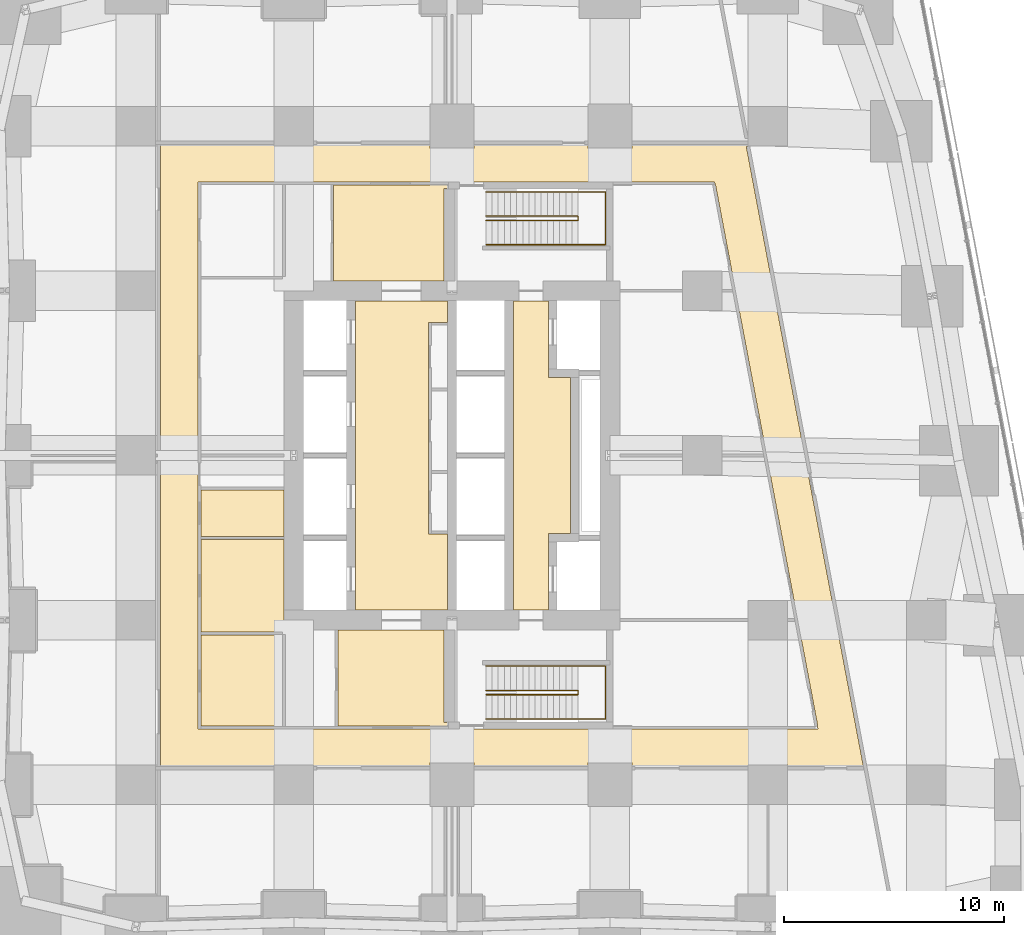
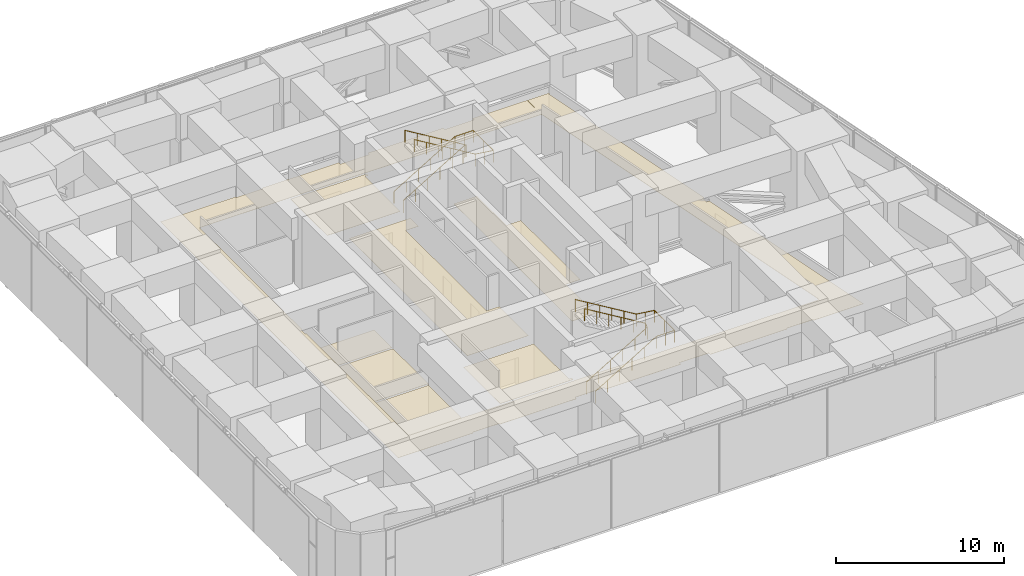
# One storey, part 20 of 20: 8 coverings, 4 railings.
"""IFC4 building model written with IfcOpenShell, lengths in metres."""

from ifc_helpers import new_model, si_unit, direction, frame, origin, origin_2d, place, context, subcontext, project, spatial, polyline, circle, outline, extrude, material, layer, layer_set, type_object, element, save


model = new_model("IFC4")

# Units and contexts
model_context = context("Model", 3, precision=1e-05, world=origin(), true_north=direction((0.0, 1.0)))
body_context = subcontext(model_context, "Body", "Model", "MODEL_VIEW")
ifc_project = project(units=[si_unit("LENGTHUNIT", "METRE"), si_unit("AREAUNIT", "SQUARE_METRE"), si_unit("VOLUMEUNIT", "CUBIC_METRE"), si_unit("PLANEANGLEUNIT", "RADIAN"), si_unit("MASSUNIT", "GRAM", prefix="KILO")], contexts=[model_context])

# Site, building, storey
site_placement = place(None, origin())
site = spatial("IfcSite", under=ifc_project, at=site_placement, CompositionType="ELEMENT")
building_placement = place(site_placement, origin())
building = spatial("IfcBuilding", under=site, at=building_placement, Name="Sheger Commons Tower", CompositionType="ELEMENT")
storey_placement = place(building_placement, frame((0.0, 0.0, 72.5)))
storey = spatial("IfcBuildingStorey", under=building, at=storey_placement, Name="L18", CompositionType="ELEMENT", Elevation=72.5)

# Railings
ifc_material_1 = material(Name="Steel handrail, black powder-coated", Category="steel")
railing_type = type_object("IfcRailingType", Name="HANDRAIL 900", PredefinedType="HANDRAIL", material=ifc_material_1)
railing_1_placement = place(storey_placement, frame((23.14990234375, 11.60009765625, 0.168701171875)))
element("IfcRailing", 1, at=railing_1_placement, inside=storey, type_object=railing_type, Name="Stair S1 handrail L18", PredefinedType="HANDRAIL", context=body_context, shape_type="SweptSolid", body=[
    extrude(circle(Radius=0.02392578125, at=origin_2d()), frame((0.0, 0.0, 0.8759765625), z_axis=(0.856489757249, 0.0, 0.516164020179), x_axis=(0.0, 1.0, 0.0)), (0.0, 0.0, 1.0), 4.904052734375),
    extrude(circle(Radius=0.02392578125, at=origin_2d()), frame((4.2001953125, 0.0, 3.4072265625), z_axis=(0.0, 0.764305856904, 0.644853903688), x_axis=(-1.0, 0.0, 0.0)), (0.0, 0.0, 1.0), 0.26171875),
    extrude(circle(Radius=0.02392578125, at=origin_2d()), frame((4.2001953125, 0.199951171875, 3.57568359375), z_axis=(-0.856489757249, 0.0, 0.516164020179), x_axis=(0.0, -1.0, 0.0)), (0.0, 0.0, 1.0), 4.904052734375),
    extrude(circle(Radius=0.02099609375, at=origin_2d()), origin(), (0.0, 0.0, 1.0), 0.851806640625),
    extrude(circle(Radius=0.02099609375, at=origin_2d()), frame((0.840087890625, 0.0, 0.50634765625)), (0.0, 0.0, 1.0), 0.851806640625),
    extrude(circle(Radius=0.02099609375, at=origin_2d()), frame((1.68017578125, 0.0, 1.012451171875)), (0.0, 0.0, 1.0), 0.851806640625),
    extrude(circle(Radius=0.02099609375, at=origin_2d()), frame((2.52001953125, 0.0, 1.518798828125)), (0.0, 0.0, 1.0), 0.851806640625),
    extrude(circle(Radius=0.02099609375, at=origin_2d()), frame((3.360107421875, 0.0, 2.02490234375)), (0.0, 0.0, 1.0), 0.851806640625),
    extrude(circle(Radius=0.02099609375, at=origin_2d()), frame((4.2001953125, 0.0, 2.53125)), (0.0, 0.0, 1.0), 0.851806640625),
    extrude(circle(Radius=0.02099609375, at=origin_2d()), frame((4.2001953125, 0.199951171875, 2.699951171875)), (0.0, 0.0, 1.0), 0.851806640625),
    extrude(circle(Radius=0.02099609375, at=origin_2d()), frame((3.360107421875, 0.199951171875, 3.206298828125)), (0.0, 0.0, 1.0), 0.851806640625),
    extrude(circle(Radius=0.02099609375, at=origin_2d()), frame((2.52001953125, 0.199951171875, 3.71240234375)), (0.0, 0.0, 1.0), 0.851806640625),
    extrude(circle(Radius=0.02099609375, at=origin_2d()), frame((1.68017578125, 0.199951171875, 4.21875)), (0.0, 0.0, 1.0), 0.851806640625),
    extrude(circle(Radius=0.02099609375, at=origin_2d()), frame((0.840087890625, 0.199951171875, 4.724853515625)), (0.0, 0.0, 1.0), 0.851806640625),
    extrude(circle(Radius=0.02099609375, at=origin_2d()), frame((0.0, 0.199951171875, 5.231201171875)), (0.0, 0.0, 1.0), 0.851806640625),
])
railing_2_placement = place(storey_placement, frame((23.14990234375, 10.5, 0.168701171875)))
element("IfcRailing", 2, at=railing_2_placement, inside=storey, type_object=railing_type, Name="Stair S1 handrail L18", PredefinedType="HANDRAIL", context=body_context, shape_type="SweptSolid", body=[
    extrude(circle(Radius=0.02392578125, at=origin_2d()), frame((0.0, 0.0, 0.8759765625), z_axis=(0.856489757249, 0.0, 0.516164020179), x_axis=(0.0, 1.0, 0.0)), (0.0, 0.0, 1.0), 4.904052734375),
    extrude(circle(Radius=0.02392578125, at=origin_2d()), frame((4.2001953125, 0.0, 3.4072265625), z_axis=(1.0, 0.0, 0.0), x_axis=(0.0, 1.0, 0.0)), (0.0, 0.0, 1.0), 1.25),
    extrude(circle(Radius=0.02392578125, at=origin_2d()), frame((5.4501953125, 0.0, 3.4072265625), z_axis=(0.0, 1.0, 0.0), x_axis=(-1.0, 0.0, 0.0)), (0.0, 0.0, 1.0), 2.39990234375),
    extrude(circle(Radius=0.02392578125, at=origin_2d()), frame((5.4501953125, 2.39990234375, 3.4072265625), z_axis=(-0.991015326251, 0.0, 0.133748357508), x_axis=(0.0, -1.0, 0.0)), (0.0, 0.0, 1.0), 1.26123046875),
    extrude(circle(Radius=0.02392578125, at=origin_2d()), frame((4.2001953125, 2.39990234375, 3.57568359375), z_axis=(-0.856489757249, 0.0, 0.516164020179), x_axis=(0.0, -1.0, 0.0)), (0.0, 0.0, 1.0), 4.904052734375),
    extrude(circle(Radius=0.02099609375, at=origin_2d()), origin(), (0.0, 0.0, 1.0), 0.851806640625),
    extrude(circle(Radius=0.02099609375, at=origin_2d()), frame((0.840087890625, 0.0, 0.50634765625)), (0.0, 0.0, 1.0), 0.851806640625),
    extrude(circle(Radius=0.02099609375, at=origin_2d()), frame((1.68017578125, 0.0, 1.012451171875)), (0.0, 0.0, 1.0), 0.851806640625),
    extrude(circle(Radius=0.02099609375, at=origin_2d()), frame((2.52001953125, 0.0, 1.518798828125)), (0.0, 0.0, 1.0), 0.851806640625),
    extrude(circle(Radius=0.02099609375, at=origin_2d()), frame((3.360107421875, 0.0, 2.02490234375)), (0.0, 0.0, 1.0), 0.851806640625),
    extrude(circle(Radius=0.02099609375, at=origin_2d()), frame((4.2001953125, 0.0, 2.53125)), (0.0, 0.0, 1.0), 0.851806640625),
    extrude(circle(Radius=0.02099609375, at=origin_2d()), frame((4.8251953125, 0.0, 2.53125)), (0.0, 0.0, 1.0), 0.851806640625),
    extrude(circle(Radius=0.02099609375, at=origin_2d()), frame((5.4501953125, 0.0, 2.53125)), (0.0, 0.0, 1.0), 0.851806640625),
    extrude(circle(Radius=0.02099609375, at=origin_2d()), frame((5.4501953125, 1.199951171875, 2.53125)), (0.0, 0.0, 1.0), 0.851806640625),
    extrude(circle(Radius=0.02099609375, at=origin_2d()), frame((5.4501953125, 2.39990234375, 2.53125)), (0.0, 0.0, 1.0), 0.851806640625),
    extrude(circle(Radius=0.02099609375, at=origin_2d()), frame((4.8251953125, 2.39990234375, 2.61572265625)), (0.0, 0.0, 1.0), 0.851806640625),
    extrude(circle(Radius=0.02099609375, at=origin_2d()), frame((4.2001953125, 2.39990234375, 2.699951171875)), (0.0, 0.0, 1.0), 0.851806640625),
    extrude(circle(Radius=0.02099609375, at=origin_2d()), frame((3.360107421875, 2.39990234375, 3.206298828125)), (0.0, 0.0, 1.0), 0.851806640625),
    extrude(circle(Radius=0.02099609375, at=origin_2d()), frame((2.52001953125, 2.39990234375, 3.71240234375)), (0.0, 0.0, 1.0), 0.851806640625),
    extrude(circle(Radius=0.02099609375, at=origin_2d()), frame((1.68017578125, 2.39990234375, 4.21875)), (0.0, 0.0, 1.0), 0.851806640625),
    extrude(circle(Radius=0.02099609375, at=origin_2d()), frame((0.840087890625, 2.39990234375, 4.724853515625)), (0.0, 0.0, 1.0), 0.851806640625),
    extrude(circle(Radius=0.02099609375, at=origin_2d()), frame((0.0, 2.39990234375, 5.231201171875)), (0.0, 0.0, 1.0), 0.851806640625),
])
railing_3_placement = place(storey_placement, frame((23.14990234375, 33.39990234375, 0.168701171875)))
element("IfcRailing", 3, at=railing_3_placement, inside=storey, type_object=railing_type, Name="Stair S2 handrail L18", PredefinedType="HANDRAIL", context=body_context, shape_type="SweptSolid", body=[
    extrude(circle(Radius=0.02392578125, at=origin_2d()), frame((0.0, 0.0, 0.8759765625), z_axis=(0.856489757249, 0.0, 0.516164020179), x_axis=(0.0, 1.0, 0.0)), (0.0, 0.0, 1.0), 4.904052734375),
    extrude(circle(Radius=0.02392578125, at=origin_2d()), frame((4.2001953125, 0.0, 3.4072265625), z_axis=(0.0, -0.764305856904, 0.644853903688), x_axis=(1.0, 0.0, 0.0)), (0.0, 0.0, 1.0), 0.26171875),
    extrude(circle(Radius=0.02392578125, at=origin_2d()), frame((4.2001953125, -0.199951171875, 3.57568359375), z_axis=(-0.856489757249, 0.0, 0.516164020179), x_axis=(0.0, -1.0, 0.0)), (0.0, 0.0, 1.0), 4.904052734375),
    extrude(circle(Radius=0.02099609375, at=origin_2d()), origin(), (0.0, 0.0, 1.0), 0.851806640625),
    extrude(circle(Radius=0.02099609375, at=origin_2d()), frame((0.840087890625, 0.0, 0.50634765625)), (0.0, 0.0, 1.0), 0.851806640625),
    extrude(circle(Radius=0.02099609375, at=origin_2d()), frame((1.68017578125, 0.0, 1.012451171875)), (0.0, 0.0, 1.0), 0.851806640625),
    extrude(circle(Radius=0.02099609375, at=origin_2d()), frame((2.52001953125, 0.0, 1.518798828125)), (0.0, 0.0, 1.0), 0.851806640625),
    extrude(circle(Radius=0.02099609375, at=origin_2d()), frame((3.360107421875, 0.0, 2.02490234375)), (0.0, 0.0, 1.0), 0.851806640625),
    extrude(circle(Radius=0.02099609375, at=origin_2d()), frame((4.2001953125, 0.0, 2.53125)), (0.0, 0.0, 1.0), 0.851806640625),
    extrude(circle(Radius=0.02099609375, at=origin_2d()), frame((4.2001953125, -0.199951171875, 2.699951171875)), (0.0, 0.0, 1.0), 0.851806640625),
    extrude(circle(Radius=0.02099609375, at=origin_2d()), frame((3.360107421875, -0.199951171875, 3.206298828125)), (0.0, 0.0, 1.0), 0.851806640625),
    extrude(circle(Radius=0.02099609375, at=origin_2d()), frame((2.52001953125, -0.199951171875, 3.71240234375)), (0.0, 0.0, 1.0), 0.851806640625),
    extrude(circle(Radius=0.02099609375, at=origin_2d()), frame((1.68017578125, -0.199951171875, 4.21875)), (0.0, 0.0, 1.0), 0.851806640625),
    extrude(circle(Radius=0.02099609375, at=origin_2d()), frame((0.840087890625, -0.199951171875, 4.724853515625)), (0.0, 0.0, 1.0), 0.851806640625),
    extrude(circle(Radius=0.02099609375, at=origin_2d()), frame((0.0, -0.199951171875, 5.231201171875)), (0.0, 0.0, 1.0), 0.851806640625),
])
railing_4_placement = place(storey_placement, frame((23.14990234375, 34.5, 0.168701171875)))
element("IfcRailing", 4, at=railing_4_placement, inside=storey, type_object=railing_type, Name="Stair S2 handrail L18", PredefinedType="HANDRAIL", context=body_context, shape_type="SweptSolid", body=[
    extrude(circle(Radius=0.02392578125, at=origin_2d()), frame((0.0, 0.0, 0.8759765625), z_axis=(0.856489757249, 0.0, 0.516164020179), x_axis=(0.0, 1.0, 0.0)), (0.0, 0.0, 1.0), 4.904052734375),
    extrude(circle(Radius=0.02392578125, at=origin_2d()), frame((4.2001953125, 0.0, 3.4072265625), z_axis=(1.0, 0.0, 0.0), x_axis=(0.0, 1.0, 0.0)), (0.0, 0.0, 1.0), 1.25),
    extrude(circle(Radius=0.02392578125, at=origin_2d()), frame((5.4501953125, 0.0, 3.4072265625), z_axis=(0.0, -1.0, 0.0), x_axis=(1.0, 0.0, 0.0)), (0.0, 0.0, 1.0), 2.39990234375),
    extrude(circle(Radius=0.02392578125, at=origin_2d()), frame((5.4501953125, -2.39990234375, 3.4072265625), z_axis=(-0.991015326251, 0.0, 0.133748357508), x_axis=(0.0, -1.0, 0.0)), (0.0, 0.0, 1.0), 1.26123046875),
    extrude(circle(Radius=0.02392578125, at=origin_2d()), frame((4.2001953125, -2.39990234375, 3.57568359375), z_axis=(-0.856489757249, 0.0, 0.516164020179), x_axis=(0.0, -1.0, 0.0)), (0.0, 0.0, 1.0), 4.904052734375),
    extrude(circle(Radius=0.02099609375, at=origin_2d()), origin(), (0.0, 0.0, 1.0), 0.851806640625),
    extrude(circle(Radius=0.02099609375, at=origin_2d()), frame((0.840087890625, 0.0, 0.50634765625)), (0.0, 0.0, 1.0), 0.851806640625),
    extrude(circle(Radius=0.02099609375, at=origin_2d()), frame((1.68017578125, 0.0, 1.012451171875)), (0.0, 0.0, 1.0), 0.851806640625),
    extrude(circle(Radius=0.02099609375, at=origin_2d()), frame((2.52001953125, 0.0, 1.518798828125)), (0.0, 0.0, 1.0), 0.851806640625),
    extrude(circle(Radius=0.02099609375, at=origin_2d()), frame((3.360107421875, 0.0, 2.02490234375)), (0.0, 0.0, 1.0), 0.851806640625),
    extrude(circle(Radius=0.02099609375, at=origin_2d()), frame((4.2001953125, 0.0, 2.53125)), (0.0, 0.0, 1.0), 0.851806640625),
    extrude(circle(Radius=0.02099609375, at=origin_2d()), frame((4.8251953125, 0.0, 2.53125)), (0.0, 0.0, 1.0), 0.851806640625),
    extrude(circle(Radius=0.02099609375, at=origin_2d()), frame((5.4501953125, 0.0, 2.53125)), (0.0, 0.0, 1.0), 0.851806640625),
    extrude(circle(Radius=0.02099609375, at=origin_2d()), frame((5.4501953125, -1.199951171875, 2.53125)), (0.0, 0.0, 1.0), 0.851806640625),
    extrude(circle(Radius=0.02099609375, at=origin_2d()), frame((5.4501953125, -2.39990234375, 2.53125)), (0.0, 0.0, 1.0), 0.851806640625),
    extrude(circle(Radius=0.02099609375, at=origin_2d()), frame((4.8251953125, -2.39990234375, 2.61572265625)), (0.0, 0.0, 1.0), 0.851806640625),
    extrude(circle(Radius=0.02099609375, at=origin_2d()), frame((4.2001953125, -2.39990234375, 2.699951171875)), (0.0, 0.0, 1.0), 0.851806640625),
    extrude(circle(Radius=0.02099609375, at=origin_2d()), frame((3.360107421875, -2.39990234375, 3.206298828125)), (0.0, 0.0, 1.0), 0.851806640625),
    extrude(circle(Radius=0.02099609375, at=origin_2d()), frame((2.52001953125, -2.39990234375, 3.71240234375)), (0.0, 0.0, 1.0), 0.851806640625),
    extrude(circle(Radius=0.02099609375, at=origin_2d()), frame((1.68017578125, -2.39990234375, 4.21875)), (0.0, 0.0, 1.0), 0.851806640625),
    extrude(circle(Radius=0.02099609375, at=origin_2d()), frame((0.840087890625, -2.39990234375, 4.724853515625)), (0.0, 0.0, 1.0), 0.851806640625),
    extrude(circle(Radius=0.02099609375, at=origin_2d()), frame((0.0, -2.39990234375, 5.231201171875)), (0.0, 0.0, 1.0), 0.851806640625),
])

# Coverings
ifc_material_2 = material(Name="Moisture-resistant gypsum plasterboard 15 mm on a suspended galvanised steel grid", Category="steel")
ifc_layer_1 = layer(ifc_material_2, 0.014892578125)
ifc_layer_set_1 = layer_set([ifc_layer_1], Name="MOISTURE-RESISTANT CEILING 15")
covering_type_1 = type_object("IfcCoveringType", Name="MOISTURE-RESISTANT CEILING 15", PredefinedType="CEILING", material=ifc_layer_set_1)
covering_1_placement = place(storey_placement, frame((0.0, 0.0, 2.39990234375)))
element("IfcCovering", 5, at=covering_1_placement, inside=storey, type_object=covering_type_1, Name="L18-SVW0 ceiling", PredefinedType="CEILING", context=body_context, shape_type="SweptSolid", body=[
    extrude(outline(polyline([(10.16796875, 10.16796875), (13.882080078125, 10.16796875), (13.882080078125, 14.33203125), (10.16796875, 14.33203125), (10.16796875, 10.16796875)])), origin(), (0.0, 0.0, 1.0), 0.01513671875),
])
covering_2_placement = place(storey_placement, frame((0.0, 0.0, 2.39990234375)))
element("IfcCovering", 6, at=covering_2_placement, inside=storey, type_object=covering_type_1, Name="L18-SVW1 ceiling", PredefinedType="CEILING", context=body_context, shape_type="SweptSolid", body=[
    extrude(outline(polyline([(13.89306640625, 14.39990234375), (13.949951171875, 14.39990234375), (13.949951171875, 14.544921875), (13.945068359375, 14.544921875), (13.945068359375, 15.455078125), (13.949951171875, 15.455078125), (13.949951171875, 18.68310546875), (10.16796875, 18.68310546875), (10.16796875, 14.468017578125), (13.89306640625, 14.468017578125), (13.89306640625, 14.39990234375)])), origin(), (0.0, 0.0, 1.0), 0.01513671875),
])
covering_3_placement = place(storey_placement, frame((0.0, 0.0, 2.39990234375)))
element("IfcCovering", 7, at=covering_3_placement, inside=storey, type_object=covering_type_1, Name="L18-SVW1b ceiling", PredefinedType="CEILING", context=body_context, shape_type="SweptSolid", body=[
    extrude(outline(polyline([(10.16796875, 18.81689453125), (13.949951171875, 18.81689453125), (13.949951171875, 20.93310546875), (10.16796875, 20.93310546875), (10.16796875, 18.81689453125)])), origin(), (0.0, 0.0, 1.0), 0.01513671875),
])
ifc_material_3 = material(Name="Gypsum plasterboard 15 mm on a suspended steel grid", Category="steel")
ifc_layer_2 = layer(ifc_material_3, 0.014892578125)
ifc_layer_set_2 = layer_set([ifc_layer_2], Name="SUSPENDED CEILING 15")
covering_type_2 = type_object("IfcCoveringType", Name="SUSPENDED CEILING 15", PredefinedType="CEILING", material=ifc_layer_set_2)
covering_4_placement = place(storey_placement, frame((0.0, 0.0, 2.699951171875)))
element("IfcCovering", 8, at=covering_4_placement, inside=storey, type_object=covering_type_2, Name="L18-CO ceiling", PredefinedType="CEILING", context=body_context, shape_type="SweptSolid", body=[
    extrude(outline(polyline([(8.330078125, 8.330078125), (13.4951171875, 8.330078125), (13.4951171875, 8.405029296875), (15.304931640625, 8.405029296875), (15.304931640625, 8.330078125), (20.594970703125, 8.330078125), (20.594970703125, 8.5048828125), (22.60498046875, 8.5048828125), (22.60498046875, 8.330078125), (27.794921875, 8.330078125), (27.794921875, 8.5048828125), (29.804931640625, 8.5048828125), (29.804931640625, 8.330078125), (35.094970703125, 8.330078125), (35.094970703125, 8.405029296875), (36.905029296875, 8.405029296875), (36.905029296875, 8.330078125), (40.34912109375, 8.330078125), (37.735107421875, 22.172119140625), (37.5400390625, 22.176025390625), (37.549072265625, 22.639892578125), (37.64697265625, 22.637939453125), (35.013916015625, 36.574951171875), (35.092041015625, 36.590087890625), (35.076904296875, 36.669921875), (33.572998046875, 36.669921875), (33.572998046875, 34.947998046875), (33.571044921875, 34.947998046875), (33.589111328125, 34.85205078125), (33.60595703125, 34.85498046875), (38.26904296875, 10.1708984375), (38.251953125, 10.1669921875), (38.27392578125, 10.050048828125), (38.14306640625, 10.050048828125), (38.14306640625, 10.031982421875), (28.945068359375, 10.031982421875), (28.945068359375, 10.044921875), (21.455078125, 10.044921875), (21.455078125, 10.031982421875), (10.157958984375, 10.031982421875), (10.157958984375, 10.044921875), (10.031982421875, 10.044921875), (10.031982421875, 22.26806640625), (9.969970703125, 22.26806640625), (9.969970703125, 22.73193359375), (10.031982421875, 22.73193359375), (10.031982421875, 34.955078125), (10.157958984375, 34.955078125), (10.157958984375, 34.968017578125), (21.455078125, 34.968017578125), (21.455078125, 34.949951171875), (28.945068359375, 34.949951171875), (28.945068359375, 34.968017578125), (33.54296875, 34.968017578125), (33.54296875, 34.949951171875), (33.568115234375, 34.949951171875), (33.568115234375, 36.669921875), (29.804931640625, 36.669921875), (29.804931640625, 36.4951171875), (27.794921875, 36.4951171875), (27.794921875, 36.669921875), (22.60498046875, 36.669921875), (22.60498046875, 36.4951171875), (20.594970703125, 36.4951171875), (20.594970703125, 36.669921875), (15.304931640625, 36.669921875), (15.304931640625, 36.594970703125), (13.4951171875, 36.594970703125), (13.4951171875, 36.669921875), (8.330078125, 36.669921875), (8.330078125, 8.330078125)])), origin(), (0.0, 0.0, 1.0), 0.01513671875),
])
covering_5_placement = place(storey_placement, frame((0.0, 0.0, 2.699951171875)))
element("IfcCovering", 9, at=covering_5_placement, inside=storey, type_object=covering_type_2, Name="L18-SVS1 ceiling", PredefinedType="CEILING", context=body_context, shape_type="SweptSolid", body=[
    extrude(outline(polyline([(16.406982421875, 10.16796875), (21.445068359375, 10.16796875), (21.445068359375, 10.344970703125), (21.2451171875, 10.344970703125), (21.2451171875, 14.544921875), (16.406982421875, 14.544921875), (16.406982421875, 10.16796875)])), origin(), (0.0, 0.0, 1.0), 0.01513671875),
])
covering_6_placement = place(storey_placement, frame((0.0, 0.0, 2.699951171875)))
element("IfcCovering", 10, at=covering_6_placement, inside=storey, type_object=covering_type_2, Name="L18-SVN1 ceiling", PredefinedType="CEILING", context=body_context, shape_type="SweptSolid", body=[
    extrude(outline(polyline([(16.217041015625, 30.455078125), (21.2451171875, 30.455078125), (21.2451171875, 34.655029296875), (21.445068359375, 34.655029296875), (21.445068359375, 34.83203125), (16.217041015625, 34.83203125), (16.217041015625, 30.455078125)])), origin(), (0.0, 0.0, 1.0), 0.01513671875),
])
covering_7_placement = place(storey_placement, frame((0.0, 0.0, 2.699951171875)))
element("IfcCovering", 11, at=covering_7_placement, inside=storey, type_object=covering_type_2, Name="L18-LL ceiling", PredefinedType="CEILING", context=body_context, shape_type="SweptSolid", body=[
    extrude(outline(polyline([(17.205078125, 15.455078125), (21.39990234375, 15.455078125), (21.39990234375, 18.93310546875), (20.657958984375, 18.93310546875), (20.532958984375, 18.93310546875), (20.532958984375, 28.56689453125), (20.657958984375, 28.56689453125), (21.39990234375, 28.56689453125), (21.39990234375, 29.544921875), (17.205078125, 29.544921875), (17.205078125, 15.455078125)])), origin(), (0.0, 0.0, 1.0), 0.01513671875),
])
covering_8_placement = place(storey_placement, frame((0.0, 0.0, 2.699951171875)))
element("IfcCovering", 12, at=covering_8_placement, inside=storey, type_object=covering_type_2, Name="L18-FL ceiling", PredefinedType="CEILING", context=body_context, shape_type="SweptSolid", body=[
    extrude(outline(polyline([(24.405029296875, 15.455078125), (25.9951171875, 15.455078125), (25.9951171875, 18.955078125), (26.9951171875, 18.955078125), (26.9951171875, 26.044921875), (25.9951171875, 26.044921875), (25.9951171875, 29.544921875), (24.405029296875, 29.544921875), (24.405029296875, 15.455078125)])), origin(), (0.0, 0.0, 1.0), 0.01513671875),
])

save(model, "model.ifc")
